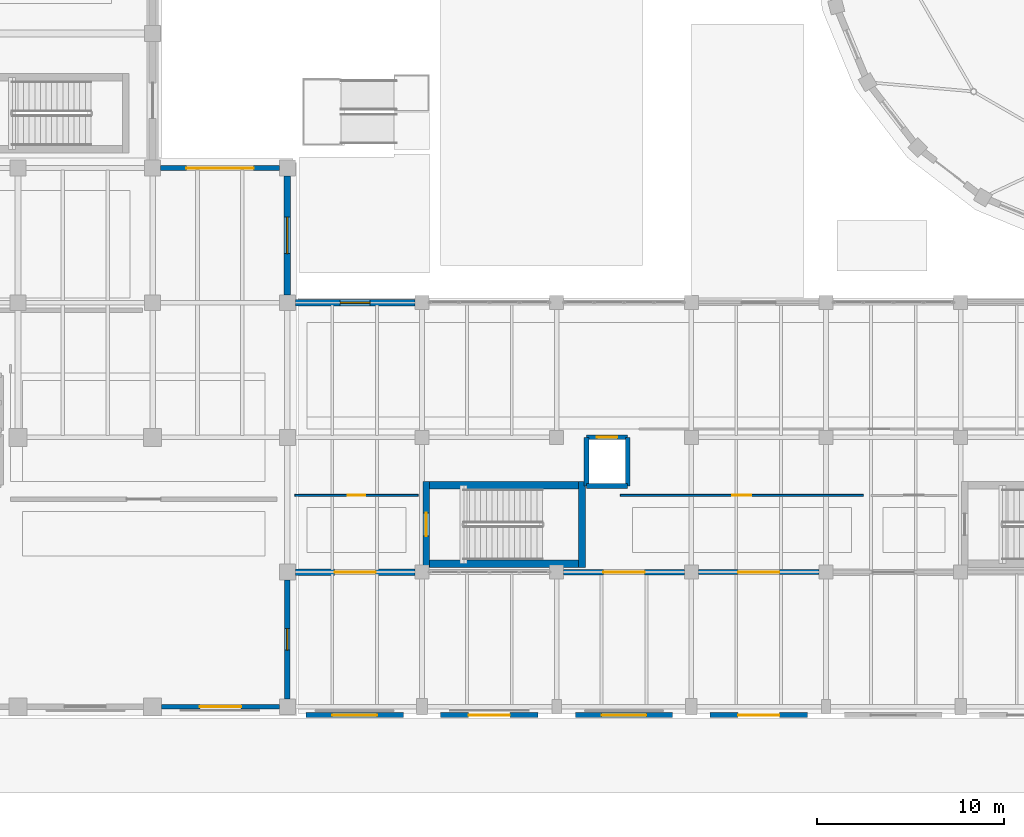
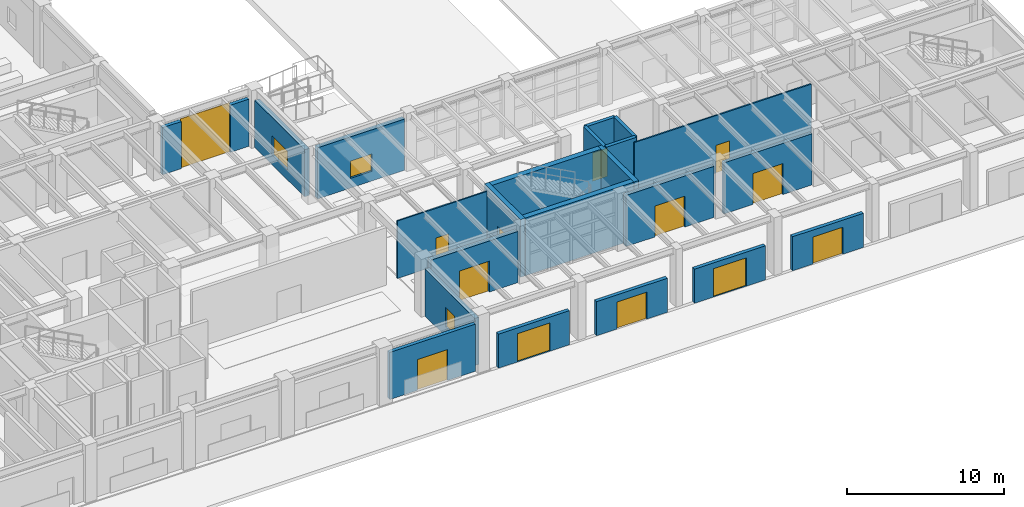
# One storey, part 25 of 39: 22 walls, 13 doors, 3 windows, 16 openings.
"""IFC4 building model written with IfcOpenShell, lengths in metres."""

from ifc_helpers import new_model, si_unit, direction, frame, frame_2d, origin, place, context, subcontext, project, spatial, rectangle, extrude, material, layer, layer_set, type_object, element, fill, save


model = new_model("IFC4")

# Units and contexts
model_context = context("Model", 3, precision=1e-05, world=origin(), true_north=direction((0.0, 1.0)))
body_context = subcontext(model_context, "Body", "Model", "MODEL_VIEW")
ifc_project = project(units=[si_unit("LENGTHUNIT", "METRE"), si_unit("AREAUNIT", "SQUARE_METRE"), si_unit("VOLUMEUNIT", "CUBIC_METRE"), si_unit("PLANEANGLEUNIT", "RADIAN"), si_unit("MASSUNIT", "GRAM", prefix="KILO")], contexts=[model_context])

# Site, building, storey
site_placement = place(None, origin())
site = spatial("IfcSite", under=ifc_project, at=site_placement, CompositionType="ELEMENT")
building_placement = place(site_placement, origin())
building = spatial("IfcBuilding", under=site, at=building_placement, Name="Kandorven Conservatory and Botanical Research Centre", CompositionType="ELEMENT")
storey_placement = place(building_placement, origin())
storey = spatial("IfcBuildingStorey", under=building, at=storey_placement, Name="L00", CompositionType="ELEMENT", Elevation=0.0)

# Walls
ifc_material_1 = material(Name="Concrete C40/50 (M50)", Category="concrete")
ifc_layer_1 = layer(ifc_material_1, 0.39990234375)
ifc_layer_set_1 = layer_set([ifc_layer_1], Name="Concrete C40/50 (M50)")
wall_type_1 = type_object("IfcWallType", Name="Wall_CW-RC-1", PredefinedType="SHEAR", material=ifc_layer_set_1)
for number, where, z_axis, x_axis, name in (
    (1, (49.60009765625, 13.64501953125, 0.0), (0.0, 0.0, 1.0), (1.0, 0.0, 0.0), "Core stair shear wall CW-RC-1 ST-V3A L00 side A"),
    (2, (49.60009765625, 17.844970703125, 0.0), (0.0, 0.0, 1.0), (1.0, 0.0, 0.0), "Core stair shear wall CW-RC-1 ST-V3A L00 side B"),
):
    element("IfcWall", number, at=place(storey_placement, frame(where, z_axis=z_axis, x_axis=x_axis)), inside=storey, type_object=wall_type_1, Name=name, PredefinedType="SHEAR", context=body_context, shape_type="SweptSolid", body=[
        extrude(rectangle(XDim=7.97998046875, YDim=0.39990234375, at=frame_2d((3.989990234375, 0.0))), origin(), (0.0, 0.0, 1.0), 4.47998046875),
    ])

# Wall, opening, door
ifc_material_2 = material(Name="Concrete C40/50 (M50)", Category="concrete")
ifc_layer_2 = layer(ifc_material_2, 0.35009765625)
ifc_layer_set_2 = layer_set([ifc_layer_2], Name="Concrete C40/50 (M50)")
wall_type_2 = type_object("IfcWallType", Name="Wall_CW-RC-2", PredefinedType="SHEAR", material=ifc_layer_set_2)
wall_1_placement = place(storey_placement, frame((49.425048828125, 13.449951171875, 0.0), z_axis=(0.0, 0.0, 1.0), x_axis=(0.0, 1.0, 0.0)))
wall_1 = element("IfcWall", 3, at=wall_1_placement, inside=storey, type_object=wall_type_2, Name="Core stair shear wall CW-RC-2 ST-V3A L00 entry", PredefinedType="SHEAR", context=body_context, shape_type="SweptSolid", body=[
    extrude(rectangle(XDim=4.590087890625, YDim=0.35009765625, at=frame_2d((2.294921875, 0.0))), origin(), (0.0, 0.0, 1.0), 4.47998046875),
])
opening_1_placement = place(wall_1_placement, frame((1.669921875, 0.0, 0.0)))
opening_1 = element("IfcOpeningElement", 4, at=opening_1_placement, cuts=wall_1, Name="Opening FD-1", PredefinedType="OPENING", context=body_context, shape_type="SweptSolid", body=[
    extrude(rectangle(XDim=1.25, YDim=2.199951171875, at=frame_2d((0.625, 1.10009765625))), frame((0.0, 0.18505859375, 0.0), z_axis=(0.0, -1.0, 0.0), x_axis=(1.0, 0.0, 0.0)), (0.0, 0.0, 1.0), 0.3701171875),
])
ifc_material_3 = material(Name="Galvanised hollow steel fire door assembly", Category="steel")
door_type_1 = type_object("IfcDoorType", Name="Door_FD-1", OperationType="NOTDEFINED", PredefinedType="DOOR", material=ifc_material_3)
door_1_placement = place(opening_1_placement, origin())
door_1 = element("IfcDoor", 5, at=door_1_placement, inside=storey, type_object=door_type_1, Name="Exit stair fire door FD-1 ST-V3A L00", OperationType="SINGLE_SWING_LEFT", OverallHeight=2.199951171875, OverallWidth=1.25, PredefinedType="DOOR", context=body_context, shape_type="SweptSolid", body=[
    extrude(rectangle(XDim=1.25, YDim=2.199951171875, at=frame_2d((0.625, 1.10009765625))), frame((0.0, 0.02490234375, 0.0), z_axis=(0.0, -1.0, 0.0), x_axis=(1.0, 0.0, 0.0)), (0.0, 0.0, 1.0), 0.050048828125),
])
fill(opening_1, door_1)

# Walls
wall_2_placement = place(storey_placement, frame((57.7548828125, 13.449951171875, 0.0), z_axis=(0.0, 0.0, 1.0), x_axis=(0.0, 1.0, 0.0)))
element("IfcWall", 6, at=wall_2_placement, inside=storey, type_object=wall_type_2, Name="Core stair shear wall CW-RC-2 ST-V3A L00 far", PredefinedType="SHEAR", context=body_context, shape_type="SweptSolid", body=[
    extrude(rectangle(XDim=4.590087890625, YDim=0.35009765625, at=frame_2d((2.294921875, 0.0))), origin(), (0.0, 0.0, 1.0), 4.47998046875),
])
wall_3_placement = place(storey_placement, frame((58.0, 17.800048828125, 0.0), z_axis=(0.0, 0.0, 1.0), x_axis=(1.0, 0.0, 0.0)))
element("IfcWall", 7, at=wall_3_placement, inside=storey, type_object=wall_type_2, Name="Lift shaft wall VL-1 L00 S", PredefinedType="SHEAR", context=body_context, shape_type="SweptSolid", body=[
    extrude(rectangle(XDim=2.199951171875, YDim=0.25, at=frame_2d((1.10009765625, 0.0))), origin(), (0.0, 0.0, 1.0), 4.47998046875),
])

# Wall, opening, door
wall_4_placement = place(storey_placement, frame((58.0, 20.39990234375, 0.0), z_axis=(0.0, 0.0, 1.0), x_axis=(1.0, 0.0, 0.0)))
wall_4 = element("IfcWall", 8, at=wall_4_placement, inside=storey, type_object=wall_type_2, Name="Lift shaft wall VL-1 L00 N", PredefinedType="SHEAR", context=body_context, shape_type="SweptSolid", body=[
    extrude(rectangle(XDim=2.199951171875, YDim=0.25, at=frame_2d((1.10009765625, 0.0))), origin(), (0.0, 0.0, 1.0), 4.47998046875),
])
opening_2_placement = place(wall_4_placement, frame((0.550048828125, 0.0, 0.0)))
opening_2 = element("IfcOpeningElement", 9, at=opening_2_placement, cuts=wall_4, Name="Opening LD-01", PredefinedType="OPENING", context=body_context, shape_type="SweptSolid", body=[
    extrude(rectangle(XDim=1.10009765625, YDim=2.199951171875, at=frame_2d((0.550048828125, 1.10009765625))), frame((0.0, 0.135009765625, 0.0), z_axis=(0.0, -1.0, 0.0), x_axis=(1.0, 0.0, 0.0)), (0.0, 0.0, 1.0), 0.27001953125),
])
ifc_material_4 = material(Name="Anodised aluminium sliding landing door", Category="aluminium")
door_type_2 = type_object("IfcDoorType", Name="Door_LD-01", OperationType="DOUBLE_DOOR_SLIDING", PredefinedType="DOOR", material=ifc_material_4)
door_2_placement = place(opening_2_placement, origin())
door_2 = element("IfcDoor", 10, at=door_2_placement, inside=storey, type_object=door_type_2, Name="Lift landing sliding door LD-01 (VL-1 L00)", OperationType="DOUBLE_DOOR_SLIDING", OverallHeight=2.199951171875, OverallWidth=1.10009765625, PredefinedType="DOOR", context=body_context, shape_type="SweptSolid", body=[
    extrude(rectangle(XDim=1.10009765625, YDim=2.199951171875, at=frame_2d((0.550048828125, 1.10009765625))), frame((0.0, 0.02490234375, 0.0), z_axis=(0.0, -1.0, 0.0), x_axis=(1.0, 0.0, 0.0)), (0.0, 0.0, 1.0), 0.050048828125),
])
fill(opening_2, door_2)

# Walls
for number, where, z_axis, x_axis, name in (
    (11, (58.0, 17.800048828125, 0.0), (0.0, 0.0, 1.0), (0.0, 1.0, 0.0), "Lift shaft wall VL-1 L00 W"),
    (12, (60.199951171875, 17.800048828125, 0.0), (0.0, 0.0, 1.0), (0.0, 1.0, 0.0), "Lift shaft wall VL-1 L00 E"),
):
    element("IfcWall", number, at=place(storey_placement, frame(where, z_axis=z_axis, x_axis=x_axis)), inside=storey, type_object=wall_type_2, Name=name, PredefinedType="SHEAR", context=body_context, shape_type="SweptSolid", body=[
        extrude(rectangle(XDim=2.599853515625, YDim=0.25, at=frame_2d((1.2998046875, 0.0))), origin(), (0.0, 0.0, 1.0), 4.47998046875),
    ])

# Wall, opening, window
ifc_material_5 = material(Name="Concrete C40/50 (M50)", Category="concrete")
ifc_layer_3 = layer(ifc_material_5, 0.360107421875)
ifc_layer_set_3 = layer_set([ifc_layer_3], Name="Concrete C40/50 (M50)")
wall_type_3 = type_object("IfcWallType", Name="Wall_EW-01", PredefinedType="STANDARD", material=ifc_layer_set_3)
wall_5_placement = place(storey_placement, frame((42.0, 28.02490234375, 0.0), z_axis=(0.0, 0.0, 1.0), x_axis=(0.0, 1.0, 0.0)))
wall_5 = element("IfcWall", 13, at=wall_5_placement, inside=storey, type_object=wall_type_3, Name="Tower concrete facade wall EW-01 E L00", PredefinedType="STANDARD", context=body_context, shape_type="SweptSolid", body=[
    extrude(rectangle(XDim=6.35009765625, YDim=0.360107421875, at=frame_2d((3.175048828125, 0.0))), origin(), (0.0, 0.0, 1.0), 3.659912109375),
])
opening_3_placement = place(wall_5_placement, frame((2.199951171875, 0.0, 0.75)))
opening_3 = element("IfcOpeningElement", 14, at=opening_3_placement, cuts=wall_5, Name="Opening W-42", PredefinedType="OPENING", context=body_context, shape_type="SweptSolid", body=[
    extrude(rectangle(XDim=1.949951171875, YDim=1.5, at=frame_2d((0.97509765625, 0.75))), frame((0.0, 0.18994140625, 0.0), z_axis=(0.0, -1.0, 0.0), x_axis=(1.0, 0.0, 0.0)), (0.0, 0.0, 1.0), 0.380126953125),
])
ifc_material_6 = material(Name="Double-glazed solar-control low-E glass", Category="glass")
window_type_1 = type_object("IfcWindowType", Name="Win_W-42", PartitioningType="DOUBLE_PANEL_VERTICAL", PredefinedType="WINDOW", material=ifc_material_6)
window_1_placement = place(opening_3_placement, origin())
window_1 = element("IfcWindow", 15, at=window_1_placement, inside=storey, type_object=window_type_1, Name="Tower recessed solar window W-42", OverallHeight=1.5, OverallWidth=1.949951171875, PartitioningType="SINGLE_PANEL", PredefinedType="WINDOW", context=body_context, shape_type="SweptSolid", body=[
    extrude(rectangle(XDim=1.949951171875, YDim=1.5, at=frame_2d((0.97509765625, 0.75))), frame((0.0, 0.030029296875, 0.0), z_axis=(0.0, -1.0, 0.0), x_axis=(1.0, 0.0, 0.0)), (0.0, 0.0, 1.0), 0.06005859375),
])
fill(opening_3, window_1)

# Wall, opening, door
ifc_material_7 = material(Name="Concrete C32/40 (M40)", Category="concrete")
ifc_layer_4 = layer(ifc_material_7, 0.340087890625)
ifc_layer_set_4 = layer_set([ifc_layer_4], Name="Concrete C32/40 (M40)")
wall_type_4 = type_object("IfcWallType", Name="Wall_EW-02", PredefinedType="STANDARD", material=ifc_layer_set_4)
wall_6_placement = place(storey_placement, frame((42.425048828125, 13.199951171875, 0.0), z_axis=(0.0, 0.0, 1.0), x_axis=(1.0, 0.0, 0.0)))
wall_6 = element("IfcWall", 16, at=wall_6_placement, inside=storey, type_object=wall_type_4, Name="Visitor centre concrete wall EW-02 S L00", PredefinedType="STANDARD", context=body_context, shape_type="SweptSolid", body=[
    extrude(rectangle(XDim=6.39990234375, YDim=0.340087890625, at=frame_2d((3.199951171875, 0.0))), origin(), (0.0, 0.0, 1.0), 3.969970703125),
])
opening_4_placement = place(wall_6_placement, frame((2.10009765625, 0.0, 0.0)))
opening_4 = element("IfcOpeningElement", 17, at=opening_4_placement, cuts=wall_6, Name="Opening ED-01", PredefinedType="OPENING", context=body_context, shape_type="SweptSolid", body=[
    extrude(rectangle(XDim=2.199951171875, YDim=2.39990234375, at=frame_2d((1.10009765625, 1.199951171875))), frame((0.0, 0.179931640625, 0.0), z_axis=(0.0, -1.0, 0.0), x_axis=(1.0, 0.0, 0.0)), (0.0, 0.0, 1.0), 0.360107421875),
])
ifc_material_8 = material(Name="Bronze anodised thermally broken aluminium", Category="aluminium")
door_type_3 = type_object("IfcDoorType", Name="Door_ED-01", OperationType="NOTDEFINED", PredefinedType="DOOR", material=ifc_material_8)
door_3_placement = place(opening_4_placement, frame((2.199951171875, 0.0, 0.0), z_axis=(0.0, 0.0, 1.0), x_axis=(-1.0, 0.0, 0.0)))
door_3 = element("IfcDoor", 18, at=door_3_placement, inside=storey, type_object=door_type_3, Name="Visitor centre final exit door ED-01", OperationType="DOUBLE_DOOR_SINGLE_SWING", OverallHeight=2.39990234375, OverallWidth=2.199951171875, PredefinedType="DOOR", context=body_context, shape_type="SweptSolid", body=[
    extrude(rectangle(XDim=2.199951171875, YDim=2.39990234375, at=frame_2d((1.10009765625, 1.199951171875))), frame((0.0, 0.02490234375, 0.0), z_axis=(0.0, -1.0, 0.0), x_axis=(1.0, 0.0, 0.0)), (0.0, 0.0, 1.0), 0.050048828125),
])
fill(opening_4, door_3)

# Wall, opening, window
wall_7_placement = place(storey_placement, frame((42.425048828125, 27.60009765625, 0.0), z_axis=(0.0, 0.0, 1.0), x_axis=(1.0, 0.0, 0.0)))
wall_7 = element("IfcWall", 19, at=wall_7_placement, inside=storey, type_object=wall_type_4, Name="Visitor centre concrete wall EW-02 N L00", PredefinedType="STANDARD", context=body_context, shape_type="SweptSolid", body=[
    extrude(rectangle(XDim=6.39990234375, YDim=0.340087890625, at=frame_2d((3.199951171875, 0.0))), origin(), (0.0, 0.0, 1.0), 3.969970703125),
])
opening_5_placement = place(wall_7_placement, frame((2.39990234375, 0.0, 0.75)))
opening_5 = element("IfcOpeningElement", 20, at=opening_5_placement, cuts=wall_7, Name="Opening W-23", PredefinedType="OPENING", context=body_context, shape_type="SweptSolid", body=[
    extrude(rectangle(XDim=1.60009765625, YDim=1.35009765625, at=frame_2d((0.800048828125, 0.675048828125))), frame((0.0, 0.179931640625, 0.0), z_axis=(0.0, -1.0, 0.0), x_axis=(1.0, 0.0, 0.0)), (0.0, 0.0, 1.0), 0.360107421875),
])
ifc_material_9 = material(Name="Double-glazed solar-control low-E glass", Category="glass")
window_type_2 = type_object("IfcWindowType", Name="Win_W-23", PartitioningType="DOUBLE_PANEL_VERTICAL", PredefinedType="WINDOW", material=ifc_material_9)
window_2_placement = place(opening_5_placement, origin())
window_2 = element("IfcWindow", 21, at=window_2_placement, inside=storey, type_object=window_type_2, Name="Visitor wing deep-reveal window W-23", OverallHeight=1.35009765625, OverallWidth=1.60009765625, PartitioningType="SINGLE_PANEL", PredefinedType="WINDOW", context=body_context, shape_type="SweptSolid", body=[
    extrude(rectangle(XDim=1.60009765625, YDim=1.35009765625, at=frame_2d((0.800048828125, 0.675048828125))), frame((0.0, 0.030029296875, 0.0), z_axis=(0.0, -1.0, 0.0), x_axis=(1.0, 0.0, 0.0)), (0.0, 0.0, 1.0), 0.06005859375),
])
fill(opening_5, window_2)

# Wall, opening, door
ifc_material_10 = material(Name="Concrete C32/40 (M40)", Category="concrete")
ifc_layer_5 = layer(ifc_material_10, 0.300048828125)
ifc_layer_set_5 = layer_set([ifc_layer_5], Name="Concrete C32/40 (M40)")
wall_type_5 = type_object("IfcWallType", Name="Wall_EW-04", PredefinedType="STANDARD", material=ifc_layer_set_5)
wall_8_placement = place(storey_placement, frame((56.77490234375, 13.199951171875, 0.0), z_axis=(0.0, 0.0, 1.0), x_axis=(1.0, 0.0, 0.0)))
wall_8 = element("IfcWall", 22, at=wall_8_placement, inside=storey, type_object=wall_type_5, Name="Visitor centre concrete wall EW-04 S L00", PredefinedType="STANDARD", context=body_context, shape_type="SweptSolid", body=[
    extrude(rectangle(XDim=6.4501953125, YDim=0.300048828125, at=frame_2d((3.22509765625, 0.0))), origin(), (0.0, 0.0, 1.0), 3.969970703125),
])
opening_6_placement = place(wall_8_placement, frame((2.125, 0.0, 0.0)))
opening_6 = element("IfcOpeningElement", 23, at=opening_6_placement, cuts=wall_8, Name="Opening ED-01", PredefinedType="OPENING", context=body_context, shape_type="SweptSolid", body=[
    extrude(rectangle(XDim=2.199951171875, YDim=2.39990234375, at=frame_2d((1.10009765625, 1.199951171875))), frame((0.0, 0.159912109375, 0.0), z_axis=(0.0, -1.0, 0.0), x_axis=(1.0, 0.0, 0.0)), (0.0, 0.0, 1.0), 0.320068359375),
])
door_4_placement = place(opening_6_placement, frame((2.199951171875, 0.0, 0.0), z_axis=(0.0, 0.0, 1.0), x_axis=(-1.0, 0.0, 0.0)))
door_4 = element("IfcDoor", 24, at=door_4_placement, inside=storey, type_object=door_type_3, Name="Visitor centre final exit door ED-01", OperationType="DOUBLE_DOOR_SINGLE_SWING", OverallHeight=2.39990234375, OverallWidth=2.199951171875, PredefinedType="DOOR", context=body_context, shape_type="SweptSolid", body=[
    extrude(rectangle(XDim=2.199951171875, YDim=2.39990234375, at=frame_2d((1.10009765625, 1.199951171875))), frame((0.0, 0.02490234375, 0.0), z_axis=(0.0, -1.0, 0.0), x_axis=(1.0, 0.0, 0.0)), (0.0, 0.0, 1.0), 0.050048828125),
])
fill(opening_6, door_4)

# Wall, opening, window
wall_9_placement = place(storey_placement, frame((42.0, 6.425048828125, 0.0), z_axis=(0.0, 0.0, 1.0), x_axis=(0.0, 1.0, 0.0)))
wall_9 = element("IfcWall", 25, at=wall_9_placement, inside=storey, type_object=wall_type_5, Name="Tower concrete facade wall EW-04 E L00", PredefinedType="STANDARD", context=body_context, shape_type="SweptSolid", body=[
    extrude(rectangle(XDim=6.349853515625, YDim=0.300048828125, at=frame_2d((3.1748046875, 0.0))), origin(), (0.0, 0.0, 1.0), 3.659912109375),
])
opening_7_placement = place(wall_9_placement, frame((2.60009765625, 0.0, 0.75)))
opening_7 = element("IfcOpeningElement", 26, at=opening_7_placement, cuts=wall_9, Name="Opening W-39", PredefinedType="OPENING", context=body_context, shape_type="SweptSolid", body=[
    extrude(rectangle(XDim=1.14990234375, YDim=1.5, at=frame_2d((0.574951171875, 0.75))), frame((0.0, 0.159912109375, 0.0), z_axis=(0.0, -1.0, 0.0), x_axis=(1.0, 0.0, 0.0)), (0.0, 0.0, 1.0), 0.320068359375),
])
ifc_material_11 = material(Name="Double-glazed solar-control low-E glass", Category="glass")
window_type_3 = type_object("IfcWindowType", Name="Win_W-39", PartitioningType="DOUBLE_PANEL_VERTICAL", PredefinedType="WINDOW", material=ifc_material_11)
window_3_placement = place(opening_7_placement, origin())
window_3 = element("IfcWindow", 27, at=window_3_placement, inside=storey, type_object=window_type_3, Name="Tower recessed solar window W-39", OverallHeight=1.5, OverallWidth=1.14990234375, PartitioningType="SINGLE_PANEL", PredefinedType="WINDOW", context=body_context, shape_type="SweptSolid", body=[
    extrude(rectangle(XDim=1.14990234375, YDim=1.5, at=frame_2d((0.574951171875, 0.75))), frame((0.0, 0.030029296875, 0.0), z_axis=(0.0, -1.0, 0.0), x_axis=(1.0, 0.0, 0.0)), (0.0, 0.0, 1.0), 0.06005859375),
])
fill(opening_7, window_3)

# Wall, opening, door
ifc_material_12 = material(Name="Concrete C32/40 (M40)", Category="concrete")
ifc_layer_6 = layer(ifc_material_12, 0.280029296875)
ifc_layer_set_6 = layer_set([ifc_layer_6], Name="Concrete C32/40 (M40)")
wall_type_6 = type_object("IfcWallType", Name="Wall_EW-05", PredefinedType="STANDARD", material=ifc_layer_set_6)
wall_10_placement = place(storey_placement, frame((63.97509765625, 13.199951171875, 0.0), z_axis=(0.0, 0.0, 1.0), x_axis=(1.0, 0.0, 0.0)))
wall_10 = element("IfcWall", 28, at=wall_10_placement, inside=storey, type_object=wall_type_6, Name="Visitor centre concrete wall EW-05 S L00", PredefinedType="STANDARD", context=body_context, shape_type="SweptSolid", body=[
    extrude(rectangle(XDim=6.449951171875, YDim=0.280029296875, at=frame_2d((3.22509765625, 0.0))), origin(), (0.0, 0.0, 1.0), 3.969970703125),
])
opening_8_placement = place(wall_10_placement, frame((2.125, 0.0, 0.0)))
opening_8 = element("IfcOpeningElement", 29, at=opening_8_placement, cuts=wall_10, Name="Opening ED-01", PredefinedType="OPENING", context=body_context, shape_type="SweptSolid", body=[
    extrude(rectangle(XDim=2.199951171875, YDim=2.39990234375, at=frame_2d((1.10009765625, 1.199951171875))), frame((0.0, 0.14990234375, 0.0), z_axis=(0.0, -1.0, 0.0), x_axis=(1.0, 0.0, 0.0)), (0.0, 0.0, 1.0), 0.300048828125),
])
door_5_placement = place(opening_8_placement, frame((2.199951171875, 0.0, 0.0), z_axis=(0.0, 0.0, 1.0), x_axis=(-1.0, 0.0, 0.0)))
door_5 = element("IfcDoor", 30, at=door_5_placement, inside=storey, type_object=door_type_3, Name="Visitor centre final exit door ED-01", OperationType="DOUBLE_DOOR_SINGLE_SWING", OverallHeight=2.39990234375, OverallWidth=2.199951171875, PredefinedType="DOOR", context=body_context, shape_type="SweptSolid", body=[
    extrude(rectangle(XDim=2.199951171875, YDim=2.39990234375, at=frame_2d((1.10009765625, 1.199951171875))), frame((0.0, 0.02490234375, 0.0), z_axis=(0.0, -1.0, 0.0), x_axis=(1.0, 0.0, 0.0)), (0.0, 0.0, 1.0), 0.050048828125),
])
fill(opening_8, door_5)

ifc_material_13 = material(Name="Concrete C32/40 (M40)", Category="concrete")
ifc_layer_7 = layer(ifc_material_13, 0.260009765625)
ifc_layer_set_7 = layer_set([ifc_layer_7], Name="Concrete C32/40 (M40)")
wall_type_7 = type_object("IfcWallType", Name="Wall_EW-06", PredefinedType="STANDARD", material=ifc_layer_set_7)
wall_11_placement = place(storey_placement, frame((35.27490234375, 6.0, 0.0), z_axis=(0.0, 0.0, 1.0), x_axis=(1.0, 0.0, 0.0)))
wall_11 = element("IfcWall", 31, at=wall_11_placement, inside=storey, type_object=wall_type_7, Name="Tower concrete facade wall EW-06 S L00", PredefinedType="STANDARD", context=body_context, shape_type="SweptSolid", body=[
    extrude(rectangle(XDim=6.300048828125, YDim=0.260009765625, at=frame_2d((3.14990234375, 0.0))), origin(), (0.0, 0.0, 1.0), 3.659912109375),
])
opening_9_placement = place(wall_11_placement, frame((2.050048828125, 0.0, 0.0)))
opening_9 = element("IfcOpeningElement", 32, at=opening_9_placement, cuts=wall_11, Name="Opening ED-01", PredefinedType="OPENING", context=body_context, shape_type="SweptSolid", body=[
    extrude(rectangle(XDim=2.199951171875, YDim=2.39990234375, at=frame_2d((1.10009765625, 1.199951171875))), frame((0.0, 0.139892578125, 0.0), z_axis=(0.0, -1.0, 0.0), x_axis=(1.0, 0.0, 0.0)), (0.0, 0.0, 1.0), 0.280029296875),
])
door_6_placement = place(opening_9_placement, frame((2.199951171875, 0.0, 0.0), z_axis=(0.0, 0.0, 1.0), x_axis=(-1.0, 0.0, 0.0)))
door_6 = element("IfcDoor", 33, at=door_6_placement, inside=storey, type_object=door_type_3, Name="Tower boulevard final exit door ED-01", OperationType="DOUBLE_DOOR_SINGLE_SWING", OverallHeight=2.39990234375, OverallWidth=2.199951171875, PredefinedType="DOOR", context=body_context, shape_type="SweptSolid", body=[
    extrude(rectangle(XDim=2.199951171875, YDim=2.39990234375, at=frame_2d((1.10009765625, 1.199951171875))), frame((0.0, 0.02490234375, 0.0), z_axis=(0.0, -1.0, 0.0), x_axis=(1.0, 0.0, 0.0)), (0.0, 0.0, 1.0), 0.050048828125),
])
fill(opening_9, door_6)

wall_12_placement = place(storey_placement, frame((35.22509765625, 34.800048828125, 0.0), z_axis=(0.0, 0.0, 1.0), x_axis=(1.0, 0.0, 0.0)))
wall_12 = element("IfcWall", 34, at=wall_12_placement, inside=storey, type_object=wall_type_7, Name="Tower concrete facade wall EW-06 N L00", PredefinedType="STANDARD", context=body_context, shape_type="SweptSolid", body=[
    extrude(rectangle(XDim=6.349853515625, YDim=0.260009765625, at=frame_2d((3.1748046875, 0.0))), origin(), (0.0, 0.0, 1.0), 3.659912109375),
])
opening_10_placement = place(wall_12_placement, frame((1.375, 0.0, 0.0)))
opening_10 = element("IfcOpeningElement", 35, at=opening_10_placement, cuts=wall_12, Name="Opening SD-01", PredefinedType="OPENING", context=body_context, shape_type="SweptSolid", body=[
    extrude(rectangle(XDim=3.60009765625, YDim=3.800048828125, at=frame_2d((1.800048828125, 1.89990234375))), frame((0.0, 0.139892578125, 0.0), z_axis=(0.0, -1.0, 0.0), x_axis=(1.0, 0.0, 0.0)), (0.0, 0.0, 1.0), 0.280029296875),
])
ifc_material_14 = material(Name="Bronze anodised thermally broken aluminium", Category="aluminium")
door_type_4 = type_object("IfcDoorType", Name="Door_SD-01", OperationType="NOTDEFINED", PredefinedType="DOOR", material=ifc_material_14)
door_7_placement = place(opening_10_placement, origin())
door_7 = element("IfcDoor", 36, at=door_7_placement, inside=storey, type_object=door_type_4, Name="Goods loading dock roller shutter door SD-01", OperationType="ROLLINGUP", OverallHeight=3.800048828125, OverallWidth=3.60009765625, PredefinedType="DOOR", context=body_context, shape_type="SweptSolid", body=[
    extrude(rectangle(XDim=3.60009765625, YDim=3.800048828125, at=frame_2d((1.800048828125, 1.89990234375))), frame((0.0, 0.02490234375, 0.0), z_axis=(0.0, -1.0, 0.0), x_axis=(1.0, 0.0, 0.0)), (0.0, 0.0, 1.0), 0.050048828125),
])
fill(opening_10, door_7)

wall_13_placement = place(storey_placement, frame((43.0, 5.550048828125, 0.0), z_axis=(0.0, 0.0, 1.0), x_axis=(1.0, 0.0, 0.0)))
wall_13 = element("IfcWall", 37, at=wall_13_placement, inside=storey, type_object=wall_type_7, Name="Botanical courtyard northern garden screen wall 1", PredefinedType="STANDARD", context=body_context, shape_type="SweptSolid", body=[
    extrude(rectangle(XDim=5.199951171875, YDim=0.260009765625, at=frame_2d((2.60009765625, 0.0))), origin(), (0.0, 0.0, 1.0), 2.64990234375),
])
opening_11_placement = place(wall_13_placement, frame((1.39990234375, 0.0, 0.0)))
opening_11 = element("IfcOpeningElement", 38, at=opening_11_placement, cuts=wall_13, Name="Opening GD-01", PredefinedType="OPENING", context=body_context, shape_type="SweptSolid", body=[
    extrude(rectangle(XDim=2.39990234375, YDim=2.199951171875, at=frame_2d((1.199951171875, 1.10009765625))), frame((0.0, 0.139892578125, 0.0), z_axis=(0.0, -1.0, 0.0), x_axis=(1.0, 0.0, 0.0)), (0.0, 0.0, 1.0), 0.280029296875),
])
ifc_material_15 = material(Name="Bronze anodised thermally broken aluminium", Category="aluminium")
door_type_5 = type_object("IfcDoorType", Name="Door_GD-01", OperationType="NOTDEFINED", PredefinedType="GATE", material=ifc_material_15)
door_8_placement = place(opening_11_placement, origin())
door_8 = element("IfcDoor", 39, at=door_8_placement, inside=storey, type_object=door_type_5, Name="Botanical courtyard pedestrian garden gate GD-01 #1", OperationType="DOUBLE_DOOR_SINGLE_SWING", OverallHeight=2.199951171875, OverallWidth=2.39990234375, PredefinedType="GATE", context=body_context, shape_type="SweptSolid", body=[
    extrude(rectangle(XDim=2.39990234375, YDim=2.199951171875, at=frame_2d((1.199951171875, 1.10009765625))), frame((0.0, 0.02490234375, 0.0), z_axis=(0.0, -1.0, 0.0), x_axis=(1.0, 0.0, 0.0)), (0.0, 0.0, 1.0), 0.050048828125),
])
fill(opening_11, door_8)

wall_14_placement = place(storey_placement, frame((50.199951171875, 5.550048828125, 0.0), z_axis=(0.0, 0.0, 1.0), x_axis=(1.0, 0.0, 0.0)))
wall_14 = element("IfcWall", 40, at=wall_14_placement, inside=storey, type_object=wall_type_7, Name="Botanical courtyard northern garden screen wall 2", PredefinedType="STANDARD", context=body_context, shape_type="SweptSolid", body=[
    extrude(rectangle(XDim=5.199951171875, YDim=0.260009765625, at=frame_2d((2.60009765625, 0.0))), origin(), (0.0, 0.0, 1.0), 2.64990234375),
])
opening_12_placement = place(wall_14_placement, frame((1.5, 0.0, 0.0)))
opening_12 = element("IfcOpeningElement", 41, at=opening_12_placement, cuts=wall_14, Name="Opening GD-02", PredefinedType="OPENING", context=body_context, shape_type="SweptSolid", body=[
    extrude(rectangle(XDim=2.199951171875, YDim=2.10009765625, at=frame_2d((1.10009765625, 1.050048828125))), frame((0.0, 0.139892578125, 0.0), z_axis=(0.0, -1.0, 0.0), x_axis=(1.0, 0.0, 0.0)), (0.0, 0.0, 1.0), 0.280029296875),
])
ifc_material_16 = material(Name="Bronze anodised thermally broken aluminium", Category="aluminium")
door_type_6 = type_object("IfcDoorType", Name="Door_GD-02", OperationType="NOTDEFINED", PredefinedType="GATE", material=ifc_material_16)
door_9_placement = place(opening_12_placement, origin())
door_9 = element("IfcDoor", 42, at=door_9_placement, inside=storey, type_object=door_type_6, Name="Botanical courtyard pedestrian garden gate GD-02 #2", OperationType="DOUBLE_DOOR_SINGLE_SWING", OverallHeight=2.10009765625, OverallWidth=2.199951171875, PredefinedType="GATE", context=body_context, shape_type="SweptSolid", body=[
    extrude(rectangle(XDim=2.199951171875, YDim=2.10009765625, at=frame_2d((1.10009765625, 1.050048828125))), frame((0.0, 0.02490234375, 0.0), z_axis=(0.0, -1.0, 0.0), x_axis=(1.0, 0.0, 0.0)), (0.0, 0.0, 1.0), 0.050048828125),
])
fill(opening_12, door_9)

wall_15_placement = place(storey_placement, frame((57.39990234375, 5.550048828125, 0.0), z_axis=(0.0, 0.0, 1.0), x_axis=(1.0, 0.0, 0.0)))
wall_15 = element("IfcWall", 43, at=wall_15_placement, inside=storey, type_object=wall_type_7, Name="Botanical courtyard northern garden screen wall 3", PredefinedType="STANDARD", context=body_context, shape_type="SweptSolid", body=[
    extrude(rectangle(XDim=5.2001953125, YDim=0.260009765625, at=frame_2d((2.60009765625, 0.0))), origin(), (0.0, 0.0, 1.0), 2.64990234375),
])
opening_13_placement = place(wall_15_placement, frame((1.39990234375, 0.0, 0.0)))
opening_13 = element("IfcOpeningElement", 44, at=opening_13_placement, cuts=wall_15, Name="Opening GD-01", PredefinedType="OPENING", context=body_context, shape_type="SweptSolid", body=[
    extrude(rectangle(XDim=2.39990234375, YDim=2.199951171875, at=frame_2d((1.199951171875, 1.10009765625))), frame((0.0, 0.139892578125, 0.0), z_axis=(0.0, -1.0, 0.0), x_axis=(1.0, 0.0, 0.0)), (0.0, 0.0, 1.0), 0.280029296875),
])
door_10_placement = place(opening_13_placement, origin())
door_10 = element("IfcDoor", 45, at=door_10_placement, inside=storey, type_object=door_type_5, Name="Botanical courtyard pedestrian garden gate GD-01 #3", OperationType="DOUBLE_DOOR_SINGLE_SWING", OverallHeight=2.199951171875, OverallWidth=2.39990234375, PredefinedType="GATE", context=body_context, shape_type="SweptSolid", body=[
    extrude(rectangle(XDim=2.39990234375, YDim=2.199951171875, at=frame_2d((1.199951171875, 1.10009765625))), frame((0.0, 0.02490234375, 0.0), z_axis=(0.0, -1.0, 0.0), x_axis=(1.0, 0.0, 0.0)), (0.0, 0.0, 1.0), 0.050048828125),
])
fill(opening_13, door_10)

wall_16_placement = place(storey_placement, frame((64.60009765625, 5.550048828125, 0.0), z_axis=(0.0, 0.0, 1.0), x_axis=(1.0, 0.0, 0.0)))
wall_16 = element("IfcWall", 46, at=wall_16_placement, inside=storey, type_object=wall_type_7, Name="Botanical courtyard northern garden screen wall 4", PredefinedType="STANDARD", context=body_context, shape_type="SweptSolid", body=[
    extrude(rectangle(XDim=5.199951171875, YDim=0.260009765625, at=frame_2d((2.60009765625, 0.0))), origin(), (0.0, 0.0, 1.0), 2.64990234375),
])
opening_14_placement = place(wall_16_placement, frame((1.5, 0.0, 0.0)))
opening_14 = element("IfcOpeningElement", 47, at=opening_14_placement, cuts=wall_16, Name="Opening GD-02", PredefinedType="OPENING", context=body_context, shape_type="SweptSolid", body=[
    extrude(rectangle(XDim=2.199951171875, YDim=2.10009765625, at=frame_2d((1.10009765625, 1.050048828125))), frame((0.0, 0.139892578125, 0.0), z_axis=(0.0, -1.0, 0.0), x_axis=(1.0, 0.0, 0.0)), (0.0, 0.0, 1.0), 0.280029296875),
])
door_11_placement = place(opening_14_placement, origin())
door_11 = element("IfcDoor", 48, at=door_11_placement, inside=storey, type_object=door_type_6, Name="Botanical courtyard pedestrian garden gate GD-02 #4", OperationType="DOUBLE_DOOR_SINGLE_SWING", OverallHeight=2.10009765625, OverallWidth=2.199951171875, PredefinedType="GATE", context=body_context, shape_type="SweptSolid", body=[
    extrude(rectangle(XDim=2.199951171875, YDim=2.10009765625, at=frame_2d((1.10009765625, 1.050048828125))), frame((0.0, 0.02490234375, 0.0), z_axis=(0.0, -1.0, 0.0), x_axis=(1.0, 0.0, 0.0)), (0.0, 0.0, 1.0), 0.050048828125),
])
fill(opening_14, door_11)

ifc_material_17 = material(Name="Fire-rated acoustic gypsum board partition", Category="gypsum")
ifc_layer_8 = layer(ifc_material_17, 0.10009765625)
ifc_layer_set_8 = layer_set([ifc_layer_8], Name="Fire-rated acoustic gypsum board partition")
wall_type_8 = type_object("IfcWallType", Name="Wall_IW-10", PredefinedType="PARTITIONING", material=ifc_layer_set_8)
wall_17_placement = place(storey_placement, frame((42.39990234375, 17.300048828125, 0.0), z_axis=(0.0, 0.0, 1.0), x_axis=(1.0, 0.0, 0.0)))
wall_17 = element("IfcWall", 49, at=wall_17_placement, inside=storey, type_object=wall_type_8, Name="Interior partition wall IW-10 (Visitor Centre and Ticketing Hall)", PredefinedType="PARTITIONING", context=body_context, shape_type="SweptSolid", body=[
    extrude(rectangle(XDim=6.60009765625, YDim=0.10009765625, at=frame_2d((3.300048828125, 0.0))), origin(), (0.0, 0.0, 1.0), 4.4599609375),
])
opening_15_placement = place(wall_17_placement, frame((2.824951171875, 0.0, 0.0)))
opening_15 = element("IfcOpeningElement", 50, at=opening_15_placement, cuts=wall_17, Name="Opening D-01", PredefinedType="OPENING", context=body_context, shape_type="SweptSolid", body=[
    extrude(rectangle(XDim=0.949951171875, YDim=2.14990234375, at=frame_2d((0.47509765625, 1.074951171875))), frame((0.0, 0.06005859375, 0.0), z_axis=(0.0, -1.0, 0.0), x_axis=(1.0, 0.0, 0.0)), (0.0, 0.0, 1.0), 0.1201171875),
])
ifc_material_18 = material(Name="Solid core acoustic teak-veneered timber leaf", Category="wood")
door_type_7 = type_object("IfcDoorType", Name="Door_D-01", OperationType="NOTDEFINED", PredefinedType="DOOR", material=ifc_material_18)
door_12_placement = place(opening_15_placement, origin())
door_12 = element("IfcDoor", 51, at=door_12_placement, inside=storey, type_object=door_type_7, Name="Interior door D-01 to Visitor Centre and Ticketing Hall", OperationType="SINGLE_SWING_LEFT", OverallHeight=2.14990234375, OverallWidth=0.949951171875, PredefinedType="DOOR", context=body_context, shape_type="SweptSolid", body=[
    extrude(rectangle(XDim=0.949951171875, YDim=2.14990234375, at=frame_2d((0.47509765625, 1.074951171875))), frame((0.0, 0.02490234375, 0.0), z_axis=(0.0, -1.0, 0.0), x_axis=(1.0, 0.0, 0.0)), (0.0, 0.0, 1.0), 0.050048828125),
])
fill(opening_15, door_12)

ifc_material_19 = material(Name="Fire-rated acoustic gypsum board partition", Category="gypsum")
ifc_layer_9 = layer(ifc_material_19, 0.10595703125)
ifc_layer_set_9 = layer_set([ifc_layer_9], Name="Fire-rated acoustic gypsum board partition")
wall_type_9 = type_object("IfcWallType", Name="Wall_IW-11", PredefinedType="PARTITIONING", material=ifc_layer_set_9)
wall_18_placement = place(storey_placement, frame((59.800048828125, 17.300048828125, 0.0), z_axis=(0.0, 0.0, 1.0), x_axis=(1.0, 0.0, 0.0)))
wall_18 = element("IfcWall", 52, at=wall_18_placement, inside=storey, type_object=wall_type_9, Name="Interior partition wall IW-11 (Botanical Book and Seed Shop)", PredefinedType="PARTITIONING", context=body_context, shape_type="SweptSolid", body=[
    extrude(rectangle(XDim=13.0, YDim=0.10595703125, at=frame_2d((6.5, 0.0))), origin(), (0.0, 0.0, 1.0), 4.4599609375),
])
opening_16_placement = place(wall_18_placement, frame((6.0, 0.0, 0.0)))
opening_16 = element("IfcOpeningElement", 53, at=opening_16_placement, cuts=wall_18, Name="Opening D-02", PredefinedType="OPENING", context=body_context, shape_type="SweptSolid", body=[
    extrude(rectangle(XDim=1.0, YDim=2.14990234375, at=frame_2d((0.5, 1.074951171875))), frame((0.0, 0.06298828125, 0.0), z_axis=(0.0, -1.0, 0.0), x_axis=(1.0, 0.0, 0.0)), (0.0, 0.0, 1.0), 0.1259765625),
])
ifc_material_20 = material(Name="Solid core acoustic teak-veneered timber leaf", Category="wood")
door_type_8 = type_object("IfcDoorType", Name="Door_D-02", OperationType="NOTDEFINED", PredefinedType="DOOR", material=ifc_material_20)
door_13_placement = place(opening_16_placement, origin())
door_13 = element("IfcDoor", 54, at=door_13_placement, inside=storey, type_object=door_type_8, Name="Interior door D-02 to Botanical Book and Seed Shop", OperationType="SINGLE_SWING_RIGHT", OverallHeight=2.14990234375, OverallWidth=1.0, PredefinedType="DOOR", context=body_context, shape_type="SweptSolid", body=[
    extrude(rectangle(XDim=1.0, YDim=2.14990234375, at=frame_2d((0.5, 1.074951171875))), frame((0.0, 0.02490234375, 0.0), z_axis=(0.0, -1.0, 0.0), x_axis=(1.0, 0.0, 0.0)), (0.0, 0.0, 1.0), 0.050048828125),
])
fill(opening_16, door_13)

save(model, "model.ifc")
